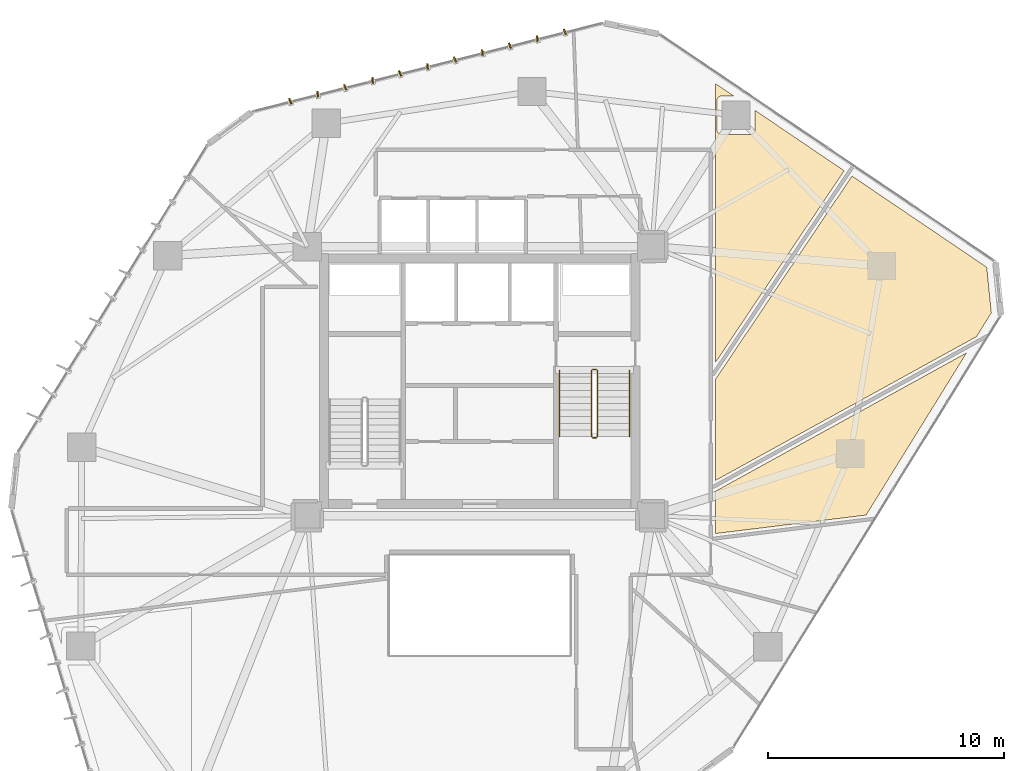
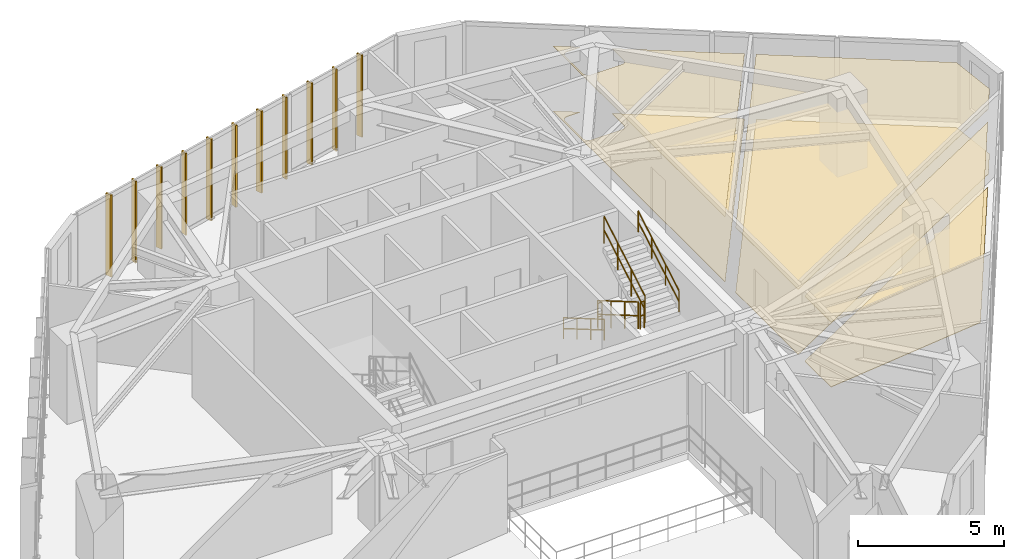
# One storey, part 20 of 20: 11 shading devices, 6 coverings, 6 railings.
"""IFC4 building model written with IfcOpenShell, lengths in metres."""

import ifcopenshell
import ifcopenshell.guid

model = None  # the IFC model being written
_history = None  # IfcOwnerHistory: only IFC2X3 demands one
_inside = {}  # id of a spatial element -> (the spatial element, [elements in it])
_under = {}  # id of a project, library or spatial element -> (it, [spatial elements below it])
_declared = {}  # id of a project -> (the project, [libraries it declares])
_typed = {}  # id of a type object -> (the type object, [elements of that type])
_made_of = {}  # id of a material, layer set ... -> (it, [elements and type objects made of it])


def new_model(schema):
    """Start an empty IFC model of exactly this schema.

    Asked for "IFC4X3", IfcOpenShell would pick the latest addendum, in which some entities
    have other attributes; the version numbers below select the first issue.
    IFC2X3 requires an IfcOwnerHistory on every rooted entity: one is made here for all.
    """
    global model, _history
    if schema == "IFC4X3":
        model = ifcopenshell.file(schema_version=(4, 3, 0, 0))
    else:
        model = ifcopenshell.file(schema=schema)
    _inside.clear()
    _under.clear()
    _declared.clear()
    _typed.clear()
    _made_of.clear()
    _history = None
    if model.schema == "IFC2X3":
        org = make("IfcOrganization", Name="unknown")
        user = make(
            "IfcPersonAndOrganization",
            ThePerson=make("IfcPerson", FamilyName="unknown"),
            TheOrganization=org,
        )
        app = make(
            "IfcApplication",
            ApplicationDeveloper=org,
            Version="unknown",
            ApplicationFullName="unknown",
            ApplicationIdentifier="unknown",
        )
        _history = make(
            "IfcOwnerHistory",
            OwningUser=user,
            OwningApplication=app,
            ChangeAction="ADDED",
            CreationDate=0,
        )
    return model


def make(cls, **values):
    """One entity of the class cls with the attributes given. An attribute that is None is left unset."""
    return model.create_entity(
        cls, **{name: value for name, value in values.items() if value is not None}
    )


def rooted(cls, **values):
    """An entity with a GlobalId (a new one), such as an element, a storey or a relation."""
    return make(cls, GlobalId=ifcopenshell.guid.new(), OwnerHistory=_history, **values)


def si_unit(unit_type, name, prefix=None):
    """IfcSIUnit, for example si_unit("LENGTHUNIT", "METRE", prefix="MILLI")."""
    return make("IfcSIUnit", UnitType=unit_type, Prefix=prefix, Name=name)


def assignment(units):
    """IfcUnitAssignment: the units of a project."""
    return None if units is None else make("IfcUnitAssignment", Units=units)


def point(xyz):
    """IfcCartesianPoint."""
    return None if xyz is None else make("IfcCartesianPoint", Coordinates=xyz)


def direction(xyz):
    """IfcDirection."""
    return None if xyz is None else make("IfcDirection", DirectionRatios=xyz)


def frame(location, z_axis=None, x_axis=None):
    """IfcAxis2Placement3D, a coordinate frame: its origin and axes. An axis left out is left unset."""
    return make(
        "IfcAxis2Placement3D",
        Location=point(location),
        Axis=direction(z_axis),
        RefDirection=direction(x_axis),
    )


def frame_2d(location, x_axis=None):
    """IfcAxis2Placement2D, a coordinate frame in the plane: its origin and x axis."""
    return make(
        "IfcAxis2Placement2D", Location=point(location), RefDirection=direction(x_axis)
    )


def origin():
    """The frame at (0, 0, 0) with its axes left unset."""
    return frame((0.0, 0.0, 0.0))


def origin_2d():
    """The frame at (0, 0) in the plane with its x axis left unset."""
    return frame_2d((0.0, 0.0))


def place(relative_to, where):
    """IfcLocalPlacement: puts the frame where relative to a parent placement (None: the world)."""
    return make(
        "IfcLocalPlacement", PlacementRelTo=relative_to, RelativePlacement=where
    )


def context(
    kind, dimensions, precision=None, world=None, true_north=None, identifier=None
):
    """IfcGeometricRepresentationContext, for example the 3D "Model" context."""
    return make(
        "IfcGeometricRepresentationContext",
        ContextIdentifier=identifier,
        ContextType=kind,
        CoordinateSpaceDimension=dimensions,
        Precision=precision,
        WorldCoordinateSystem=world,
        TrueNorth=true_north,
    )


def subcontext(parent, identifier, kind, view, scale=None):
    """IfcGeometricRepresentationSubContext, for example "Body" below "Model"."""
    return make(
        "IfcGeometricRepresentationSubContext",
        ContextIdentifier=identifier,
        ContextType=kind,
        ParentContext=parent,
        TargetScale=scale,
        TargetView=view,
    )


def project(units=None, contexts=None):
    """IfcProject with its units and contexts."""
    return rooted(
        "IfcProject",
        Name="project",
        RepresentationContexts=contexts,
        UnitsInContext=assignment(units),
    )


def spatial(cls, under=None, at=None, **own):
    """A site, building, storey or space (cls), placed at a placement, below another one or the project."""
    s = rooted(cls, ObjectPlacement=at, **own)
    if under is not None:
        _under.setdefault(under.id(), (under, []))[1].append(s)
    return s


def polyline(points):
    """IfcPolyline through the points."""
    return make("IfcPolyline", Points=[point(p) for p in points])


def profile(cls, at=None, kind="AREA", **sizes):
    """A parametric profile (cls). Its sizes go by their IFC names, for example OverallWidth=200.0."""
    return make(cls, ProfileType=kind, Position=at, **sizes)


def rectangle(**sizes):
    """IfcRectangleProfileDef."""
    return profile("IfcRectangleProfileDef", **sizes)


def circle(**sizes):
    """IfcCircleProfileDef."""
    return profile("IfcCircleProfileDef", **sizes)


def outline(outer, holes=None, kind="AREA"):
    """IfcArbitraryClosedProfileDef: a profile drawn as a closed curve; with holes, ...WithVoids."""
    if holes is None:
        return make("IfcArbitraryClosedProfileDef", ProfileType=kind, OuterCurve=outer)
    return make(
        "IfcArbitraryProfileDefWithVoids",
        ProfileType=kind,
        OuterCurve=outer,
        InnerCurves=holes,
    )


def extrude(swept, where, along, depth):
    """IfcExtrudedAreaSolid: the profile swept, set in the frame where, extruded along a direction by depth."""
    return make(
        "IfcExtrudedAreaSolid",
        SweptArea=swept,
        Position=where,
        ExtrudedDirection=direction(along),
        Depth=depth,
    )


def shape(context_of_items, identifier, shape_type, items):
    """IfcShapeRepresentation: the items that make up one representation, for example the "Body"."""
    return make(
        "IfcShapeRepresentation",
        ContextOfItems=context_of_items,
        RepresentationIdentifier=identifier,
        RepresentationType=shape_type,
        Items=items,
    )


def source(mapping_origin, context_of_items, identifier, shape_type, items):
    """IfcRepresentationMap: a shape defined once, which mapped items show again and again."""
    return make(
        "IfcRepresentationMap",
        MappingOrigin=mapping_origin,
        MappedRepresentation=shape(context_of_items, identifier, shape_type, items),
    )


def transform(
    local_origin,
    x_axis=None,
    y_axis=None,
    z_axis=None,
    scale=None,
    scale2=None,
    scale3=None,
    uniform=True,
):
    """IfcCartesianTransformationOperator3D, or its non-uniform kind. x_axis, y_axis, z_axis: its Axis1, 2, 3."""
    if uniform:
        return make(
            "IfcCartesianTransformationOperator3D",
            Axis1=direction(x_axis),
            Axis2=direction(y_axis),
            LocalOrigin=point(local_origin),
            Scale=scale,
            Axis3=direction(z_axis),
        )
    return make(
        "IfcCartesianTransformationOperator3DnonUniform",
        Axis1=direction(x_axis),
        Axis2=direction(y_axis),
        LocalOrigin=point(local_origin),
        Scale=scale,
        Axis3=direction(z_axis),
        Scale2=scale2,
        Scale3=scale3,
    )


def mapped(mapping_source, mapping_target):
    """IfcMappedItem: shows the shape of a source again, moved by a transform."""
    return make(
        "IfcMappedItem", MappingSource=mapping_source, MappingTarget=mapping_target
    )


def material(Name=None, Category=None):
    """IfcMaterial."""
    return make("IfcMaterial", Name=Name, Category=Category)


def layer(
    of_material, thickness, ventilated=None, Name=None, Category=None, Priority=None
):
    """IfcMaterialLayer: one layer of a wall or slab, of a material (None: an air gap)."""
    return make(
        "IfcMaterialLayer",
        Material=of_material,
        LayerThickness=thickness,
        IsVentilated=ventilated,
        Name=Name,
        Category=Category,
        Priority=Priority,
    )


def layer_set(layers, Name=None):
    """IfcMaterialLayerSet."""
    return make("IfcMaterialLayerSet", MaterialLayers=layers, LayerSetName=Name)


def made_of(thing, what):
    """Note that an element or type object is made of a material, layer set ...; save() writes the relation."""
    if what is not None:
        _made_of.setdefault(what.id(), (what, []))[1].append(thing)
    return thing


def type_object(cls, material=None, **own):
    """A type object (cls), such as IfcWallType, which elements share."""
    return made_of(rooted(cls, **own), material)


def type_shapes(of_type, sources):
    """Give a type object the sources (RepresentationMaps) that its elements show as mapped items."""
    of_type.RepresentationMaps = sources


def element(
    cls,
    number,
    at=None,
    inside=None,
    cuts=None,
    type_object=None,
    material=None,
    context=None,
    identifier="Body",
    shape_type=None,
    held_by="IfcProductDefinitionShape",
    body=None,
    shapes=None,
    **own,
):
    """One element of the class cls, such as IfcWall. Its Tag is "e" and its number.

    at: its placement. inside: the storey or other place that contains it. cuts: it is an
    opening in that element (IfcRelVoidsElement). A single representation is given by context,
    identifier, shape_type and body (its items); several are given by shapes. held_by: the class
    of the entity that holds the representations. save() writes the other relations.
    """
    e = rooted(cls, Tag="e%d" % number, ObjectPlacement=at, **own)
    if body is not None:
        shapes = [shape(context, identifier, shape_type, body)]
    if shapes is not None:
        e.Representation = make(held_by, Representations=shapes)
    if inside is not None:
        _inside.setdefault(inside.id(), (inside, []))[1].append(e)
    if cuts is not None:
        rooted(
            "IfcRelVoidsElement", RelatingBuildingElement=cuts, RelatedOpeningElement=e
        )
    if type_object is not None:
        _typed.setdefault(type_object.id(), (type_object, []))[1].append(e)
    return made_of(e, material)


def aggregate(whole, parts):
    """IfcRelAggregates: a whole, such as a stair, and the parts it consists of."""
    return rooted("IfcRelAggregates", RelatingObject=whole, RelatedObjects=parts)


def save(model, path):
    """Write the relations noted so far, then the file.

    IfcRelAggregates (storeys below a building ...), IfcRelContainedInSpatialStructure (elements
    in a storey), IfcRelDefinesByType, IfcRelAssociatesMaterial and IfcRelDeclares: one each for
    every whole, place, type object, material and project.
    """
    for whole, parts in _under.values():
        aggregate(whole, parts)
    for where, things in _inside.values():
        rooted(
            "IfcRelContainedInSpatialStructure",
            RelatedElements=things,
            RelatingStructure=where,
        )
    for kind, things in _typed.values():
        rooted("IfcRelDefinesByType", RelatedObjects=things, RelatingType=kind)
    for what, things in _made_of.values():
        rooted("IfcRelAssociatesMaterial", RelatedObjects=things, RelatingMaterial=what)
    for by, libraries in _declared.values():
        rooted("IfcRelDeclares", RelatingContext=by, RelatedDefinitions=libraries)
    model.write(path)


model = new_model("IFC4")

# Units and contexts
model_context = context("Model", 3, precision=1e-05, world=origin(), true_north=direction((0.0, 1.0)))
body_context = subcontext(model_context, "Body", "Model", "MODEL_VIEW")
ifc_project = project(units=[si_unit("LENGTHUNIT", "METRE"), si_unit("AREAUNIT", "SQUARE_METRE"), si_unit("VOLUMEUNIT", "CUBIC_METRE"), si_unit("PLANEANGLEUNIT", "RADIAN"), si_unit("MASSUNIT", "GRAM", prefix="KILO")], contexts=[model_context])

# Site, building, storey
site_placement = place(None, origin())
site = spatial("IfcSite", under=ifc_project, at=site_placement, CompositionType="ELEMENT")
building_placement = place(site_placement, origin())
building = spatial("IfcBuilding", under=site, at=building_placement, Name="Talar Marvaseh", CompositionType="ELEMENT")
storey_placement = place(building_placement, frame((0.0, 0.0, 132.60009765625)))
storey = spatial("IfcBuildingStorey", under=building, at=storey_placement, Name="L34", CompositionType="ELEMENT", Elevation=132.60009765625)

# Railings
ifc_material_1 = material(Name="Stainless Steel Grade 316", Category="steel")
railing_type_1 = type_object("IfcRailingType", Name="Brushed Stainless Wall Pitch Handrail 900", PredefinedType="HANDRAIL", material=ifc_material_1)
railing_1_placement = place(storey_placement, frame((29.389892578125, 31.64990234375, 0.16357421875)))
element("IfcRailing", 1, at=railing_1_placement, inside=storey, type_object=railing_type_1, Name="L34 ST-2 stair handrail 1", PredefinedType="HANDRAIL", context=body_context, shape_type="SweptSolid", body=[
    extrude(circle(Radius=0.02392578125, at=origin_2d()), frame((0.0, 0.0, 0.8759765625), z_axis=(0.0, -0.863374499697, 0.504563646405), x_axis=(1.0, 0.0, 0.0)), (0.0, 0.0, 1.0), 3.242919921875),
    extrude(circle(Radius=0.02392578125, at=origin_2d()), frame((0.0, 0.0, 0.42578125), z_axis=(0.0, -0.863374499697, 0.504563646405), x_axis=(1.0, 0.0, 0.0)), (0.0, 0.0, 1.0), 3.242919921875),
    extrude(circle(Radius=0.02099609375, at=origin_2d()), origin(), (0.0, 0.0, 1.0), 0.851806640625),
    extrude(circle(Radius=0.02099609375, at=origin_2d()), frame((0.0, -0.933349609375, 0.54541015625)), (0.0, 0.0, 1.0), 0.851806640625),
    extrude(circle(Radius=0.02099609375, at=origin_2d()), frame((0.0, -1.866455078125, 1.0908203125)), (0.0, 0.0, 1.0), 0.851806640625),
    extrude(circle(Radius=0.02099609375, at=origin_2d()), frame((0.0, -2.7998046875, 1.63623046875)), (0.0, 0.0, 1.0), 0.851806640625),
])
railing_2_placement = place(storey_placement, frame((32.35009765625, 28.85009765625, 1.963623046875)))
element("IfcRailing", 2, at=railing_2_placement, inside=storey, type_object=railing_type_1, Name="L34 ST-2 stair handrail 2", PredefinedType="HANDRAIL", context=body_context, shape_type="SweptSolid", body=[
    extrude(circle(Radius=0.02392578125, at=origin_2d()), frame((0.0, 0.0, 0.8759765625), z_axis=(0.0, 0.863374499697, 0.504563646405), x_axis=(-1.0, 0.0, 0.0)), (0.0, 0.0, 1.0), 3.242919921875),
    extrude(circle(Radius=0.02392578125, at=origin_2d()), frame((0.0, 0.0, 0.42578125), z_axis=(0.0, 0.863374499697, 0.504563646405), x_axis=(-1.0, 0.0, 0.0)), (0.0, 0.0, 1.0), 3.242919921875),
    extrude(circle(Radius=0.02099609375, at=origin_2d()), origin(), (0.0, 0.0, 1.0), 0.851806640625),
    extrude(circle(Radius=0.02099609375, at=origin_2d()), frame((0.0, 0.933349609375, 0.54541015625)), (0.0, 0.0, 1.0), 0.851806640625),
    extrude(circle(Radius=0.02099609375, at=origin_2d()), frame((0.0, 1.866455078125, 1.0908203125)), (0.0, 0.0, 1.0), 0.851806640625),
    extrude(circle(Radius=0.02099609375, at=origin_2d()), frame((0.0, 2.7998046875, 1.63623046875)), (0.0, 0.0, 1.0), 0.851806640625),
])
railing_type_2 = type_object("IfcRailingType", Name="Painted Steel Core Stair Well Guardrail 1150", PredefinedType="GUARDRAIL", material=ifc_material_1)
railing_3_placement = place(storey_placement, frame((30.739990234375, 31.64990234375, 0.16357421875)))
element("IfcRailing", 3, at=railing_3_placement, inside=storey, type_object=railing_type_2, Name="L34 ST-2 stair guard 1", PredefinedType="GUARDRAIL", context=body_context, shape_type="SweptSolid", body=[
    extrude(circle(Radius=0.02392578125, at=origin_2d()), frame((0.0, 0.0, 1.1259765625), z_axis=(0.0, -0.863374499697, 0.504563646405), x_axis=(1.0, 0.0, 0.0)), (0.0, 0.0, 1.0), 3.242919921875),
    extrude(circle(Radius=0.02392578125, at=origin_2d()), frame((0.0, 0.0, 0.55078125), z_axis=(0.0, -0.863374499697, 0.504563646405), x_axis=(1.0, 0.0, 0.0)), (0.0, 0.0, 1.0), 3.242919921875),
    extrude(circle(Radius=0.02099609375, at=origin_2d()), origin(), (0.0, 0.0, 1.0), 1.101806640625),
    extrude(circle(Radius=0.02099609375, at=origin_2d()), frame((0.0, -0.933349609375, 0.54541015625)), (0.0, 0.0, 1.0), 1.101806640625),
    extrude(circle(Radius=0.02099609375, at=origin_2d()), frame((0.0, -1.866455078125, 1.0908203125)), (0.0, 0.0, 1.0), 1.101806640625),
    extrude(circle(Radius=0.02099609375, at=origin_2d()), frame((0.0, -2.7998046875, 1.63623046875)), (0.0, 0.0, 1.0), 1.101806640625),
])
railing_4_placement = place(storey_placement, frame((30.7900390625, 28.800048828125, 1.7998046875)))
element("IfcRailing", 4, at=railing_4_placement, inside=storey, type_object=railing_type_2, Name="L34 ST-2 stair guard 2", PredefinedType="GUARDRAIL", context=body_context, shape_type="SweptSolid", body=[
    extrude(circle(Radius=0.02392578125, at=origin_2d()), frame((0.0, 0.0, 1.1259765625), z_axis=(1.0, 0.0, 0.0), x_axis=(0.0, 1.0, 0.0)), (0.0, 0.0, 1.0), 0.159912109375),
    extrude(circle(Radius=0.02392578125, at=origin_2d()), frame((0.0, 0.0, 0.55078125), z_axis=(1.0, 0.0, 0.0), x_axis=(0.0, 1.0, 0.0)), (0.0, 0.0, 1.0), 0.159912109375),
    extrude(circle(Radius=0.02099609375, at=origin_2d()), origin(), (0.0, 0.0, 1.0), 1.101806640625),
    extrude(circle(Radius=0.02099609375, at=origin_2d()), frame((0.159912109375, 0.0, 0.0)), (0.0, 0.0, 1.0), 1.101806640625),
])
railing_5_placement = place(storey_placement, frame((31.0, 28.85009765625, 1.963623046875)))
element("IfcRailing", 5, at=railing_5_placement, inside=storey, type_object=railing_type_2, Name="L34 ST-2 stair guard 3", PredefinedType="GUARDRAIL", context=body_context, shape_type="SweptSolid", body=[
    extrude(circle(Radius=0.02392578125, at=origin_2d()), frame((0.0, 0.0, 1.1259765625), z_axis=(0.0, 0.863374499697, 0.504563646405), x_axis=(-1.0, 0.0, 0.0)), (0.0, 0.0, 1.0), 3.242919921875),
    extrude(circle(Radius=0.02392578125, at=origin_2d()), frame((0.0, 0.0, 0.55078125), z_axis=(0.0, 0.863374499697, 0.504563646405), x_axis=(-1.0, 0.0, 0.0)), (0.0, 0.0, 1.0), 3.242919921875),
    extrude(circle(Radius=0.02099609375, at=origin_2d()), origin(), (0.0, 0.0, 1.0), 1.101806640625),
    extrude(circle(Radius=0.02099609375, at=origin_2d()), frame((0.0, 0.933349609375, 0.54541015625)), (0.0, 0.0, 1.0), 1.101806640625),
    extrude(circle(Radius=0.02099609375, at=origin_2d()), frame((0.0, 1.866455078125, 1.0908203125)), (0.0, 0.0, 1.0), 1.101806640625),
    extrude(circle(Radius=0.02099609375, at=origin_2d()), frame((0.0, 2.7998046875, 1.63623046875)), (0.0, 0.0, 1.0), 1.101806640625),
])
railing_6_placement = place(storey_placement, frame((30.7900390625, 31.699951171875, 0.0)))
element("IfcRailing", 6, at=railing_6_placement, inside=storey, type_object=railing_type_2, Name="L34 ST-2 stair guard 4", PredefinedType="GUARDRAIL", context=body_context, shape_type="SweptSolid", body=[
    extrude(circle(Radius=0.02392578125, at=origin_2d()), frame((0.0, 0.0, 1.1259765625), z_axis=(1.0, 0.0, 0.0), x_axis=(0.0, 1.0, 0.0)), (0.0, 0.0, 1.0), 0.159912109375),
    extrude(circle(Radius=0.02392578125, at=origin_2d()), frame((0.0, 0.0, 0.55078125), z_axis=(1.0, 0.0, 0.0), x_axis=(0.0, 1.0, 0.0)), (0.0, 0.0, 1.0), 0.159912109375),
    extrude(circle(Radius=0.02099609375, at=origin_2d()), origin(), (0.0, 0.0, 1.0), 1.101806640625),
    extrude(circle(Radius=0.02099609375, at=origin_2d()), frame((0.159912109375, 0.0, 0.0)), (0.0, 0.0, 1.0), 1.101806640625),
])

# Coverings
ifc_material_2 = material(Name="Mineral Fibre Acoustic Ceiling")
ifc_layer_1 = layer(ifc_material_2, 0.02490234375)
ifc_layer_set_1 = layer_set([ifc_layer_1], Name="Mineral Fibre Acoustic Ceiling")
covering_type_1 = type_object("IfcCoveringType", Name="Perforated Mineral Fibre Acoustic Suspended Ceiling", PredefinedType="CEILING", material=ifc_layer_set_1)
covering_1_placement = place(storey_placement, frame((0.0, 0.0, 2.719970703125)))
element("IfcCovering", 7, at=covering_1_placement, inside=storey, type_object=covering_type_1, Name="L34 Cultural Fellowship Office Acoustic Ceiling", PredefinedType="CEILING", context=body_context, shape_type="SweptSolid", body=[
    extrude(outline(polyline([(46.6328125, 32.395751953125), (42.37841796875, 25.523193359375), (36.0, 24.739990234375), (36.0, 26.537109375), (46.6328125, 32.395751953125)])), origin(), (0.0, 0.0, 1.0), 0.02490234375),
])
covering_2_placement = place(storey_placement, frame((0.0, 0.0, 2.719970703125)))
element("IfcCovering", 8, at=covering_2_placement, inside=storey, type_object=covering_type_1, Name="L34 Manuscript Folio Archive Room Acoustic Ceiling", PredefinedType="CEILING", context=body_context, shape_type="SweptSolid", body=[
    extrude(outline(polyline([(36.0, 26.99365234375), (36.0, 31.28369140625), (41.781005859375, 39.89111328125), (47.488037109375, 36.027587890625), (47.68505859375, 34.095703125), (47.061767578125, 33.0888671875), (36.0, 26.99365234375)])), origin(), (0.0, 0.0, 1.0), 0.02490234375),
])
covering_3_placement = place(storey_placement, frame((0.0, 0.0, 2.719970703125)))
element("IfcCovering", 9, at=covering_3_placement, inside=storey, type_object=covering_type_1, Name="L34 Conservation Laboratory Acoustic Ceiling", PredefinedType="CEILING", context=body_context, shape_type="SweptSolid", body=[
    extrude(outline(polyline([(36.254638671875, 43.281494140625), (36.235107421875, 43.280517578125), (36.2158203125, 43.277587890625), (36.197021484375, 43.272705078125), (36.178466796875, 43.26611328125), (36.160888671875, 43.2578125), (36.14404296875, 43.247802734375), (36.12841796875, 43.236083984375), (36.114013671875, 43.222900390625), (36.100830078125, 43.20849609375), (36.089111328125, 43.19287109375), (36.0791015625, 43.176025390625), (36.07080078125, 43.158447265625), (36.064208984375, 43.14013671875), (36.059326171875, 43.12109375), (36.056396484375, 43.101806640625), (36.055419921875, 43.082275390625), (36.051025390625, 41.87158203125), (36.0517578125, 41.853759765625), (36.05419921875, 41.835693359375), (36.05810546875, 41.818115234375), (36.063720703125, 41.80078125), (36.07080078125, 41.7841796875), (36.079345703125, 41.768310546875), (36.08740234375, 41.755126953125), (36.09765625, 41.739501953125), (36.109619140625, 41.724853515625), (36.12255859375, 41.71142578125), (36.136962890625, 41.69921875), (36.15234375, 41.6884765625), (36.168701171875, 41.67919921875), (36.185791015625, 41.671630859375), (36.20361328125, 41.66552734375), (36.221923828125, 41.6611328125), (36.240478515625, 41.65869140625), (36.25927734375, 41.65771484375), (37.47705078125, 41.660400390625), (37.49658203125, 41.661376953125), (37.515869140625, 41.664306640625), (37.534912109375, 41.669189453125), (37.55322265625, 41.67578125), (37.57080078125, 41.68408203125), (37.587646484375, 41.694091796875), (37.603515625, 41.705810546875), (37.617919921875, 41.718994140625), (37.631103515625, 41.7333984375), (37.642578125, 41.7490234375), (37.65283203125, 41.765869140625), (37.6611328125, 41.783447265625), (37.667724609375, 41.8017578125), (37.672607421875, 41.82080078125), (37.675537109375, 41.840087890625), (37.676513671875, 41.859619140625), (37.6796875, 42.667236328125), (41.44970703125, 40.115234375), (36.0, 32.001220703125), (36.0, 41.0), (36.0, 43.804443359375), (36.769287109375, 43.283447265625), (36.254638671875, 43.281494140625)])), origin(), (0.0, 0.0, 1.0), 0.02490234375),
])
ifc_material_3 = material(Name="Porcelain Stoneware Tile", Category="masonry")
ifc_layer_2 = layer(ifc_material_3, 0.02001953125)
ifc_layer_set_2 = layer_set([ifc_layer_2], Name="Porcelain Stoneware Tile")
covering_type_2 = type_object("IfcCoveringType", Name="Polished Porcelain Stoneware Gallery Flooring", PredefinedType="FLOORING", material=ifc_layer_set_2)
covering_4_placement = place(storey_placement, origin())
element("IfcCovering", 10, at=covering_4_placement, inside=storey, type_object=covering_type_2, Name="L34 Cultural Fellowship Office Flooring", PredefinedType="FLOORING", context=body_context, shape_type="SweptSolid", body=[
    extrude(outline(polyline([(46.6328125, 32.395751953125), (42.37841796875, 25.523193359375), (36.0, 24.739990234375), (36.0, 26.537109375), (46.6328125, 32.395751953125)])), origin(), (0.0, 0.0, 1.0), 0.02001953125),
])
covering_5_placement = place(storey_placement, origin())
element("IfcCovering", 11, at=covering_5_placement, inside=storey, type_object=covering_type_2, Name="L34 Manuscript Folio Archive Room Flooring", PredefinedType="FLOORING", context=body_context, shape_type="SweptSolid", body=[
    extrude(outline(polyline([(36.0, 26.99365234375), (36.0, 31.28369140625), (41.781005859375, 39.89111328125), (47.488037109375, 36.027587890625), (47.68505859375, 34.095703125), (47.061767578125, 33.0888671875), (36.0, 26.99365234375)])), origin(), (0.0, 0.0, 1.0), 0.02001953125),
])
covering_6_placement = place(storey_placement, origin())
element("IfcCovering", 12, at=covering_6_placement, inside=storey, type_object=covering_type_2, Name="L34 Conservation Laboratory Flooring", PredefinedType="FLOORING", context=body_context, shape_type="SweptSolid", body=[
    extrude(outline(polyline([(36.254638671875, 43.281494140625), (36.235107421875, 43.280517578125), (36.2158203125, 43.277587890625), (36.197021484375, 43.272705078125), (36.178466796875, 43.26611328125), (36.160888671875, 43.2578125), (36.14404296875, 43.247802734375), (36.12841796875, 43.236083984375), (36.114013671875, 43.222900390625), (36.100830078125, 43.20849609375), (36.089111328125, 43.19287109375), (36.0791015625, 43.176025390625), (36.07080078125, 43.158447265625), (36.064208984375, 43.14013671875), (36.059326171875, 43.12109375), (36.056396484375, 43.101806640625), (36.055419921875, 43.082275390625), (36.051025390625, 41.87158203125), (36.0517578125, 41.853759765625), (36.05419921875, 41.835693359375), (36.05810546875, 41.818115234375), (36.063720703125, 41.80078125), (36.07080078125, 41.7841796875), (36.079345703125, 41.768310546875), (36.08740234375, 41.755126953125), (36.09765625, 41.739501953125), (36.109619140625, 41.724853515625), (36.12255859375, 41.71142578125), (36.136962890625, 41.69921875), (36.15234375, 41.6884765625), (36.168701171875, 41.67919921875), (36.185791015625, 41.671630859375), (36.20361328125, 41.66552734375), (36.221923828125, 41.6611328125), (36.240478515625, 41.65869140625), (36.25927734375, 41.65771484375), (37.47705078125, 41.660400390625), (37.49658203125, 41.661376953125), (37.515869140625, 41.664306640625), (37.534912109375, 41.669189453125), (37.55322265625, 41.67578125), (37.57080078125, 41.68408203125), (37.587646484375, 41.694091796875), (37.603515625, 41.705810546875), (37.617919921875, 41.718994140625), (37.631103515625, 41.7333984375), (37.642578125, 41.7490234375), (37.65283203125, 41.765869140625), (37.6611328125, 41.783447265625), (37.667724609375, 41.8017578125), (37.672607421875, 41.82080078125), (37.675537109375, 41.840087890625), (37.676513671875, 41.859619140625), (37.6796875, 42.667236328125), (41.44970703125, 40.115234375), (36.0, 32.001220703125), (36.0, 41.0), (36.0, 43.804443359375), (36.769287109375, 43.283447265625), (36.254638671875, 43.281494140625)])), origin(), (0.0, 0.0, 1.0), 0.02001953125),
])

# Shading devices
ifc_material_4 = material(Name="Anodised Champagne Bronze Aluminium", Category="aluminium")
ifc_layer_3 = layer(ifc_material_4, 0.06494140625)
ifc_layer_set_3 = layer_set([ifc_layer_3], Name="Anodised Champagne Bronze Aluminium")
shading_device_type = type_object("IfcShadingDeviceType", Name="Sawtooth Champagne Bronze Vertical Fin 240", PredefinedType="USERDEFINED", material=ifc_layer_set_3)
shared_shape = source(origin(), body_context, "Body", "SweptSolid", [
    extrude(rectangle(XDim=0.239990234375, YDim=0.06494140625, at=origin_2d()), origin(), (0.0, 0.0, 1.0), 3.429931640625),
])
type_shapes(shading_device_type, [shared_shape])
for number, where, z_axis, x_axis, name in (
    (13, (17.9755859375, 43.065673828125, -0.1201171875), (0.0, 0.0, 1.0), (-0.377517574003, 0.926002419716, 0.0), "L34 Sawtooth Vertical Solar Fin"),
    (14, (19.138916015625, 43.359619140625, -0.1201171875), (0.0, 0.0, 1.0), (-0.107652324982, 0.994188602291, 0.0), "L34 Sawtooth Vertical Solar Fin"),
    (15, (20.302490234375, 43.653564453125, -0.1201171875), (0.0, 0.0, 1.0), (-0.377517574003, 0.926002419716, 0.0), "L34 Sawtooth Vertical Solar Fin"),
    (16, (21.4658203125, 43.947509765625, -0.1201171875), (0.0, 0.0, 1.0), (-0.107652324982, 0.994188602291, 0.0), "L34 Sawtooth Vertical Solar Fin"),
    (17, (22.62939453125, 44.24169921875, -0.1201171875), (0.0, 0.0, 1.0), (-0.377517574003, 0.926002419716, 0.0), "L34 Sawtooth Vertical Solar Fin"),
    (18, (23.792724609375, 44.53564453125, -0.1201171875), (0.0, 0.0, 1.0), (-0.107652324982, 0.994188602291, 0.0), "L34 Sawtooth Vertical Solar Fin"),
    (19, (24.9560546875, 44.82958984375, -0.1201171875), (0.0, 0.0, 1.0), (-0.377517574003, 0.926002419716, 0.0), "L34 Sawtooth Vertical Solar Fin"),
    (20, (26.11962890625, 45.123779296875, -0.1201171875), (0.0, 0.0, 1.0), (-0.107652324982, 0.994188602291, 0.0), "L34 Sawtooth Vertical Solar Fin"),
    (21, (27.282958984375, 45.417724609375, -0.1201171875), (0.0, 0.0, 1.0), (-0.377517574003, 0.926002419716, 0.0), "L34 Sawtooth Vertical Solar Fin"),
    (22, (28.4462890625, 45.711669921875, -0.1201171875), (0.0, 0.0, 1.0), (-0.107652324982, 0.994188602291, 0.0), "L34 Sawtooth Vertical Solar Fin"),
    (23, (29.60986328125, 46.005615234375, -0.1201171875), (0.0, 0.0, 1.0), (-0.377517574003, 0.926002419716, 0.0), "L34 Sawtooth Vertical Solar Fin"),
):
    element("IfcShadingDevice", number, at=place(storey_placement, frame(where, z_axis=z_axis, x_axis=x_axis)), inside=storey, type_object=shading_device_type, Name=name, ObjectType="FIN", PredefinedType="USERDEFINED", context=body_context, shape_type="MappedRepresentation", body=[
        mapped(shared_shape, transform((0.0, 0.0, 0.0), x_axis=(1.0, 0.0, 0.0), y_axis=(0.0, 1.0, 0.0), z_axis=(0.0, 0.0, 1.0), scale=1.0)),
    ])

save(model, "model.ifc")
